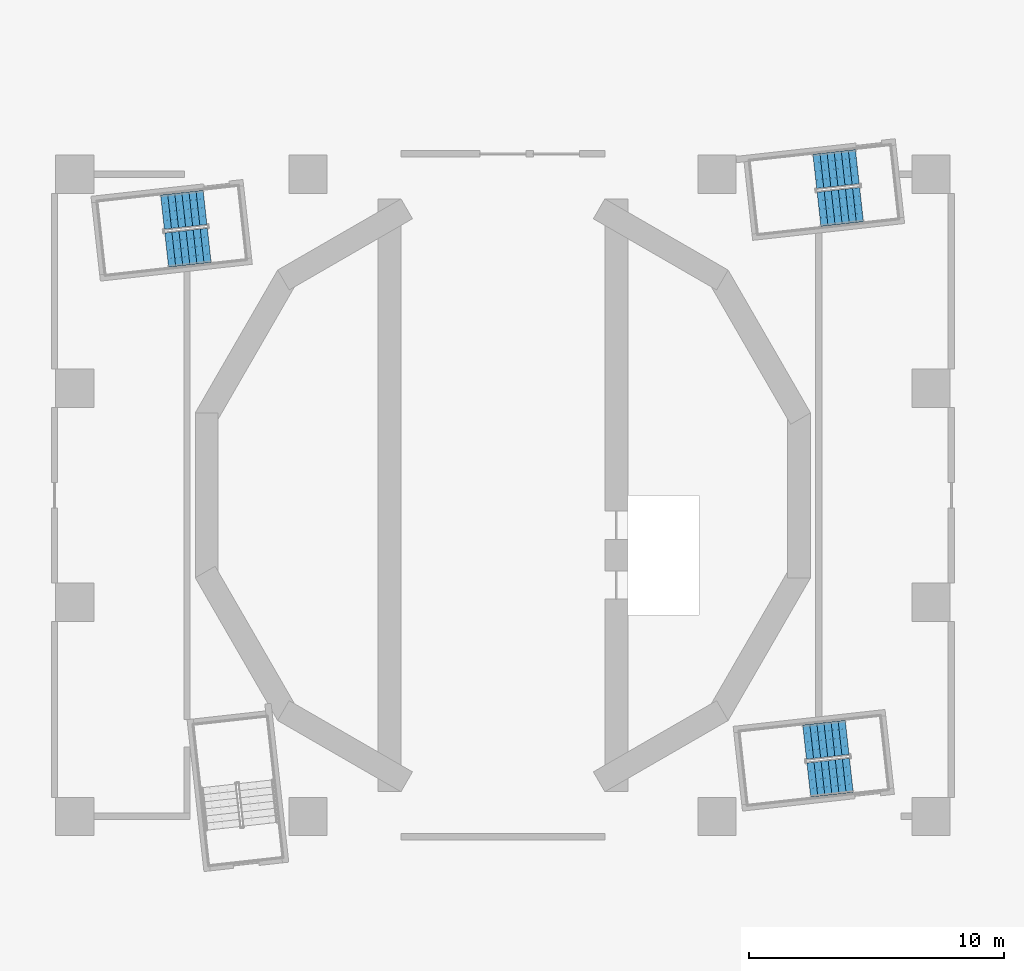
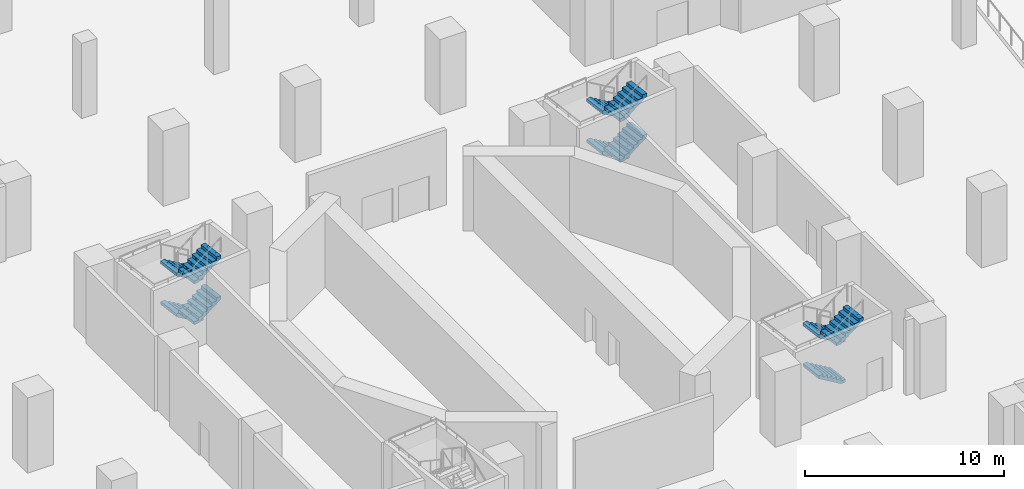
# One storey, part 11 of 20: 11 stair flights, 3 elements without a shape of their own.
"""IFC4 building model written with IfcOpenShell, lengths in metres."""

import ifcopenshell
import ifcopenshell.guid

model = None  # the IFC model being written
_history = None  # IfcOwnerHistory: only IFC2X3 demands one
_inside = {}  # id of a spatial element -> (the spatial element, [elements in it])
_under = {}  # id of a project, library or spatial element -> (it, [spatial elements below it])
_declared = {}  # id of a project -> (the project, [libraries it declares])
_typed = {}  # id of a type object -> (the type object, [elements of that type])
_made_of = {}  # id of a material, layer set ... -> (it, [elements and type objects made of it])


def new_model(schema):
    """Start an empty IFC model of exactly this schema.

    Asked for "IFC4X3", IfcOpenShell would pick the latest addendum, in which some entities
    have other attributes; the version numbers below select the first issue.
    IFC2X3 requires an IfcOwnerHistory on every rooted entity: one is made here for all.
    """
    global model, _history
    if schema == "IFC4X3":
        model = ifcopenshell.file(schema_version=(4, 3, 0, 0))
    else:
        model = ifcopenshell.file(schema=schema)
    _inside.clear()
    _under.clear()
    _declared.clear()
    _typed.clear()
    _made_of.clear()
    _history = None
    if model.schema == "IFC2X3":
        org = make("IfcOrganization", Name="unknown")
        user = make(
            "IfcPersonAndOrganization",
            ThePerson=make("IfcPerson", FamilyName="unknown"),
            TheOrganization=org,
        )
        app = make(
            "IfcApplication",
            ApplicationDeveloper=org,
            Version="unknown",
            ApplicationFullName="unknown",
            ApplicationIdentifier="unknown",
        )
        _history = make(
            "IfcOwnerHistory",
            OwningUser=user,
            OwningApplication=app,
            ChangeAction="ADDED",
            CreationDate=0,
        )
    return model


def make(cls, **values):
    """One entity of the class cls with the attributes given. An attribute that is None is left unset."""
    return model.create_entity(
        cls, **{name: value for name, value in values.items() if value is not None}
    )


def rooted(cls, **values):
    """An entity with a GlobalId (a new one), such as an element, a storey or a relation."""
    return make(cls, GlobalId=ifcopenshell.guid.new(), OwnerHistory=_history, **values)


def si_unit(unit_type, name, prefix=None):
    """IfcSIUnit, for example si_unit("LENGTHUNIT", "METRE", prefix="MILLI")."""
    return make("IfcSIUnit", UnitType=unit_type, Prefix=prefix, Name=name)


def assignment(units):
    """IfcUnitAssignment: the units of a project."""
    return None if units is None else make("IfcUnitAssignment", Units=units)


def point(xyz):
    """IfcCartesianPoint."""
    return None if xyz is None else make("IfcCartesianPoint", Coordinates=xyz)


def direction(xyz):
    """IfcDirection."""
    return None if xyz is None else make("IfcDirection", DirectionRatios=xyz)


def frame(location, z_axis=None, x_axis=None):
    """IfcAxis2Placement3D, a coordinate frame: its origin and axes. An axis left out is left unset."""
    return make(
        "IfcAxis2Placement3D",
        Location=point(location),
        Axis=direction(z_axis),
        RefDirection=direction(x_axis),
    )


def origin():
    """The frame at (0, 0, 0) with its axes left unset."""
    return frame((0.0, 0.0, 0.0))


def place(relative_to, where):
    """IfcLocalPlacement: puts the frame where relative to a parent placement (None: the world)."""
    return make(
        "IfcLocalPlacement", PlacementRelTo=relative_to, RelativePlacement=where
    )


def context(
    kind, dimensions, precision=None, world=None, true_north=None, identifier=None
):
    """IfcGeometricRepresentationContext, for example the 3D "Model" context."""
    return make(
        "IfcGeometricRepresentationContext",
        ContextIdentifier=identifier,
        ContextType=kind,
        CoordinateSpaceDimension=dimensions,
        Precision=precision,
        WorldCoordinateSystem=world,
        TrueNorth=true_north,
    )


def subcontext(parent, identifier, kind, view, scale=None):
    """IfcGeometricRepresentationSubContext, for example "Body" below "Model"."""
    return make(
        "IfcGeometricRepresentationSubContext",
        ContextIdentifier=identifier,
        ContextType=kind,
        ParentContext=parent,
        TargetScale=scale,
        TargetView=view,
    )


def project(units=None, contexts=None):
    """IfcProject with its units and contexts."""
    return rooted(
        "IfcProject",
        Name="project",
        RepresentationContexts=contexts,
        UnitsInContext=assignment(units),
    )


def spatial(cls, under=None, at=None, **own):
    """A site, building, storey or space (cls), placed at a placement, below another one or the project."""
    s = rooted(cls, ObjectPlacement=at, **own)
    if under is not None:
        _under.setdefault(under.id(), (under, []))[1].append(s)
    return s


def polyline(points):
    """IfcPolyline through the points."""
    return make("IfcPolyline", Points=[point(p) for p in points])


def outline(outer, holes=None, kind="AREA"):
    """IfcArbitraryClosedProfileDef: a profile drawn as a closed curve; with holes, ...WithVoids."""
    if holes is None:
        return make("IfcArbitraryClosedProfileDef", ProfileType=kind, OuterCurve=outer)
    return make(
        "IfcArbitraryProfileDefWithVoids",
        ProfileType=kind,
        OuterCurve=outer,
        InnerCurves=holes,
    )


def extrude(swept, where, along, depth):
    """IfcExtrudedAreaSolid: the profile swept, set in the frame where, extruded along a direction by depth."""
    return make(
        "IfcExtrudedAreaSolid",
        SweptArea=swept,
        Position=where,
        ExtrudedDirection=direction(along),
        Depth=depth,
    )


def shape(context_of_items, identifier, shape_type, items):
    """IfcShapeRepresentation: the items that make up one representation, for example the "Body"."""
    return make(
        "IfcShapeRepresentation",
        ContextOfItems=context_of_items,
        RepresentationIdentifier=identifier,
        RepresentationType=shape_type,
        Items=items,
    )


def material(Name=None, Category=None):
    """IfcMaterial."""
    return make("IfcMaterial", Name=Name, Category=Category)


def made_of(thing, what):
    """Note that an element or type object is made of a material, layer set ...; save() writes the relation."""
    if what is not None:
        _made_of.setdefault(what.id(), (what, []))[1].append(thing)
    return thing


def type_object(cls, material=None, **own):
    """A type object (cls), such as IfcWallType, which elements share."""
    return made_of(rooted(cls, **own), material)


def element(
    cls,
    number,
    at=None,
    inside=None,
    cuts=None,
    type_object=None,
    material=None,
    context=None,
    identifier="Body",
    shape_type=None,
    held_by="IfcProductDefinitionShape",
    body=None,
    shapes=None,
    **own,
):
    """One element of the class cls, such as IfcWall. Its Tag is "e" and its number.

    at: its placement. inside: the storey or other place that contains it. cuts: it is an
    opening in that element (IfcRelVoidsElement). A single representation is given by context,
    identifier, shape_type and body (its items); several are given by shapes. held_by: the class
    of the entity that holds the representations. save() writes the other relations.
    """
    e = rooted(cls, Tag="e%d" % number, ObjectPlacement=at, **own)
    if body is not None:
        shapes = [shape(context, identifier, shape_type, body)]
    if shapes is not None:
        e.Representation = make(held_by, Representations=shapes)
    if inside is not None:
        _inside.setdefault(inside.id(), (inside, []))[1].append(e)
    if cuts is not None:
        rooted(
            "IfcRelVoidsElement", RelatingBuildingElement=cuts, RelatedOpeningElement=e
        )
    if type_object is not None:
        _typed.setdefault(type_object.id(), (type_object, []))[1].append(e)
    return made_of(e, material)


def aggregate(whole, parts):
    """IfcRelAggregates: a whole, such as a stair, and the parts it consists of."""
    return rooted("IfcRelAggregates", RelatingObject=whole, RelatedObjects=parts)


def save(model, path):
    """Write the relations noted so far, then the file.

    IfcRelAggregates (storeys below a building ...), IfcRelContainedInSpatialStructure (elements
    in a storey), IfcRelDefinesByType, IfcRelAssociatesMaterial and IfcRelDeclares: one each for
    every whole, place, type object, material and project.
    """
    for whole, parts in _under.values():
        aggregate(whole, parts)
    for where, things in _inside.values():
        rooted(
            "IfcRelContainedInSpatialStructure",
            RelatedElements=things,
            RelatingStructure=where,
        )
    for kind, things in _typed.values():
        rooted("IfcRelDefinesByType", RelatedObjects=things, RelatingType=kind)
    for what, things in _made_of.values():
        rooted("IfcRelAssociatesMaterial", RelatedObjects=things, RelatingMaterial=what)
    for by, libraries in _declared.values():
        rooted("IfcRelDeclares", RelatingContext=by, RelatedDefinitions=libraries)
    model.write(path)


model = new_model("IFC4")

# Units and contexts
model_context = context("Model", 3, precision=1e-05, world=origin(), true_north=direction((0.0, 1.0)))
body_context = subcontext(model_context, "Body", "Model", "MODEL_VIEW")
ifc_project = project(units=[si_unit("LENGTHUNIT", "METRE"), si_unit("AREAUNIT", "SQUARE_METRE"), si_unit("VOLUMEUNIT", "CUBIC_METRE"), si_unit("PLANEANGLEUNIT", "RADIAN"), si_unit("MASSUNIT", "GRAM", prefix="KILO")], contexts=[model_context])

# Site, building, storey
site_placement = place(None, origin())
site = spatial("IfcSite", under=ifc_project, at=site_placement, CompositionType="ELEMENT")
building_placement = place(site_placement, origin())
building = spatial("IfcBuilding", under=site, at=building_placement, Name="Cantera Rosa Tower", CompositionType="ELEMENT")
storey_placement = place(building_placement, frame((0.0, 0.0, -5.0)))
storey = spatial("IfcBuildingStorey", under=building, at=storey_placement, Name="B1", CompositionType="ELEMENT", Elevation=-5.0)

# Stair, stair flights
ifc_material_1 = material(Name="Concrete C35/45", Category="concrete")
stair_type = type_object("IfcStairType", Name="EXIT STAIR 1350 DOGLEG", PredefinedType="HALF_TURN_STAIR", material=ifc_material_1)
stair_1_placement = place(storey_placement, origin())
stair_1 = element("IfcStair", 1, at=stair_1_placement, inside=storey, type_object=stair_type, Name="B1 ST-11", PredefinedType="HALF_TURN_STAIR")
ifc_material_2 = material(Name="Concrete C35/45", Category="concrete")
stair_flight_type = type_object("IfcStairFlightType", Name="STAIR FLIGHT 1350 R28x179", PredefinedType="STRAIGHT", material=ifc_material_2)
stair_flight_1_placement = place(storey_placement, frame((13.90869140625, 12.89990234375, 0.0), z_axis=(0.0, 0.0, 1.0), x_axis=(-0.993896947056, -0.110312549749, 0.0)))
stair_flight_1 = element("IfcStairFlight", 2, at=stair_flight_1_placement, type_object=stair_flight_type, Name="ST-11 flight 1", NumberOfRisers=7, NumberOfTreads=6, PredefinedType="STRAIGHT", RiserHeight=0.178571429, TreadLength=0.28, context=body_context, shape_type="SweptSolid", body=[
    extrude(outline(polyline([(0.0, 0.0), (0.0, 0.178466796875), (0.280029296875, 0.178466796875), (0.280029296875, 0.357177734375), (0.56005859375, 0.357177734375), (0.56005859375, 0.53564453125), (0.840087890625, 0.53564453125), (0.840087890625, 0.71435546875), (1.1201171875, 0.71435546875), (1.1201171875, 0.892822265625), (1.39990234375, 0.892822265625), (1.39990234375, 1.071533203125), (1.679931640625, 1.071533203125), (1.679931640625, 1.25), (1.679931640625, 0.8935546875), (0.27880859375, 0.0), (0.0, 0.0)])), frame((0.0, 0.675048828125, 0.0), z_axis=(0.0, -1.0, 0.0), x_axis=(1.0, 0.0, 0.0)), (0.0, 0.0, 1.0), 0.3359375),
    extrude(outline(polyline([(0.0, 0.0), (0.0, 0.178466796875), (0.280029296875, 0.178466796875), (0.280029296875, 0.357177734375), (0.56005859375, 0.357177734375), (0.56005859375, 0.53564453125), (0.840087890625, 0.53564453125), (0.840087890625, 0.71435546875), (1.1201171875, 0.71435546875), (1.1201171875, 0.892822265625), (1.39990234375, 0.892822265625), (1.39990234375, 1.071533203125), (1.679931640625, 1.071533203125), (1.679931640625, 1.25), (1.679931640625, 0.8935546875), (0.27880859375, 0.0), (0.0, 0.0)])), frame((0.0, 0.337158203125, 0.0), z_axis=(0.0, -1.0, 0.0), x_axis=(1.0, 0.0, 0.0)), (0.0, 0.0, 1.0), 0.3359375),
    extrude(outline(polyline([(0.0, 0.0), (0.0, 0.178466796875), (0.280029296875, 0.178466796875), (0.280029296875, 0.357177734375), (0.56005859375, 0.357177734375), (0.56005859375, 0.53564453125), (0.840087890625, 0.53564453125), (0.840087890625, 0.71435546875), (1.1201171875, 0.71435546875), (1.1201171875, 0.892822265625), (1.39990234375, 0.892822265625), (1.39990234375, 1.071533203125), (1.679931640625, 1.071533203125), (1.679931640625, 1.25), (1.679931640625, 0.8935546875), (0.27880859375, 0.0), (0.0, 0.0)])), frame((0.0, -0.000732421875, 0.0), z_axis=(0.0, -1.0, 0.0), x_axis=(1.0, 0.0, 0.0)), (0.0, 0.0, 1.0), 0.3359375),
    extrude(outline(polyline([(0.0, 0.0), (0.0, 0.178466796875), (0.280029296875, 0.178466796875), (0.280029296875, 0.357177734375), (0.56005859375, 0.357177734375), (0.56005859375, 0.53564453125), (0.840087890625, 0.53564453125), (0.840087890625, 0.71435546875), (1.1201171875, 0.71435546875), (1.1201171875, 0.892822265625), (1.39990234375, 0.892822265625), (1.39990234375, 1.071533203125), (1.679931640625, 1.071533203125), (1.679931640625, 1.25), (1.679931640625, 0.8935546875), (0.27880859375, 0.0), (0.0, 0.0)])), frame((0.0, -0.338623046875, 0.0), z_axis=(0.0, -1.0, 0.0), x_axis=(1.0, 0.0, 0.0)), (0.0, 0.0, 1.0), 0.3359375),
])
stair_flight_2_placement = place(storey_placement, frame((12.404541015625, 11.2236328125, 1.25), z_axis=(0.0, 0.0, 1.0), x_axis=(0.993896947056, 0.110312549749, 0.0)))
stair_flight_2 = element("IfcStairFlight", 3, at=stair_flight_2_placement, type_object=stair_flight_type, Name="ST-11 flight 2", NumberOfRisers=7, NumberOfTreads=6, PredefinedType="STRAIGHT", RiserHeight=0.178571429, TreadLength=0.28, context=body_context, shape_type="SweptSolid", body=[
    extrude(outline(polyline([(0.0, 0.0), (0.0, 0.178466796875), (0.280029296875, 0.178466796875), (0.280029296875, 0.357177734375), (0.56005859375, 0.357177734375), (0.56005859375, 0.53564453125), (0.840087890625, 0.53564453125), (0.840087890625, 0.71435546875), (1.1201171875, 0.71435546875), (1.1201171875, 0.892822265625), (1.39990234375, 0.892822265625), (1.39990234375, 1.071533203125), (1.679931640625, 1.071533203125), (1.679931640625, 1.25), (1.679931640625, 0.8935546875), (0.27880859375, 0.0), (0.0, 0.0)])), frame((0.0, 0.675048828125, 0.0), z_axis=(0.0, -1.0, 0.0), x_axis=(1.0, 0.0, 0.0)), (0.0, 0.0, 1.0), 0.3359375),
    extrude(outline(polyline([(0.0, 0.0), (0.0, 0.178466796875), (0.280029296875, 0.178466796875), (0.280029296875, 0.357177734375), (0.56005859375, 0.357177734375), (0.56005859375, 0.53564453125), (0.840087890625, 0.53564453125), (0.840087890625, 0.71435546875), (1.1201171875, 0.71435546875), (1.1201171875, 0.892822265625), (1.39990234375, 0.892822265625), (1.39990234375, 1.071533203125), (1.679931640625, 1.071533203125), (1.679931640625, 1.25), (1.679931640625, 0.8935546875), (0.27880859375, 0.0), (0.0, 0.0)])), frame((0.0, 0.337158203125, 0.0), z_axis=(0.0, -1.0, 0.0), x_axis=(1.0, 0.0, 0.0)), (0.0, 0.0, 1.0), 0.3359375),
    extrude(outline(polyline([(0.0, 0.0), (0.0, 0.178466796875), (0.280029296875, 0.178466796875), (0.280029296875, 0.357177734375), (0.56005859375, 0.357177734375), (0.56005859375, 0.53564453125), (0.840087890625, 0.53564453125), (0.840087890625, 0.71435546875), (1.1201171875, 0.71435546875), (1.1201171875, 0.892822265625), (1.39990234375, 0.892822265625), (1.39990234375, 1.071533203125), (1.679931640625, 1.071533203125), (1.679931640625, 1.25), (1.679931640625, 0.8935546875), (0.27880859375, 0.0), (0.0, 0.0)])), frame((0.0, -0.000732421875, 0.0), z_axis=(0.0, -1.0, 0.0), x_axis=(1.0, 0.0, 0.0)), (0.0, 0.0, 1.0), 0.3359375),
    extrude(outline(polyline([(0.0, 0.0), (0.0, 0.178466796875), (0.280029296875, 0.178466796875), (0.280029296875, 0.357177734375), (0.56005859375, 0.357177734375), (0.56005859375, 0.53564453125), (0.840087890625, 0.53564453125), (0.840087890625, 0.71435546875), (1.1201171875, 0.71435546875), (1.1201171875, 0.892822265625), (1.39990234375, 0.892822265625), (1.39990234375, 1.071533203125), (1.679931640625, 1.071533203125), (1.679931640625, 1.25), (1.679931640625, 0.8935546875), (0.27880859375, 0.0), (0.0, 0.0)])), frame((0.0, -0.338623046875, 0.0), z_axis=(0.0, -1.0, 0.0), x_axis=(1.0, 0.0, 0.0)), (0.0, 0.0, 1.0), 0.3359375),
])
stair_flight_3_placement = place(storey_placement, frame((13.90869140625, 12.89990234375, 2.5), z_axis=(0.0, 0.0, 1.0), x_axis=(-0.993896947056, -0.110312549749, 0.0)))
stair_flight_3 = element("IfcStairFlight", 4, at=stair_flight_3_placement, type_object=stair_flight_type, Name="ST-11 flight 3", NumberOfRisers=7, NumberOfTreads=6, PredefinedType="STRAIGHT", RiserHeight=0.178571429, TreadLength=0.28, context=body_context, shape_type="SweptSolid", body=[
    extrude(outline(polyline([(0.0, 0.0), (0.0, 0.178466796875), (0.280029296875, 0.178466796875), (0.280029296875, 0.357177734375), (0.56005859375, 0.357177734375), (0.56005859375, 0.53564453125), (0.840087890625, 0.53564453125), (0.840087890625, 0.71435546875), (1.1201171875, 0.71435546875), (1.1201171875, 0.892822265625), (1.39990234375, 0.892822265625), (1.39990234375, 1.071533203125), (1.679931640625, 1.071533203125), (1.679931640625, 1.25), (1.679931640625, 0.8935546875), (0.27880859375, 0.0), (0.0, 0.0)])), frame((0.0, 0.675048828125, 0.0), z_axis=(0.0, -1.0, 0.0), x_axis=(1.0, 0.0, 0.0)), (0.0, 0.0, 1.0), 0.3359375),
    extrude(outline(polyline([(0.0, 0.0), (0.0, 0.178466796875), (0.280029296875, 0.178466796875), (0.280029296875, 0.357177734375), (0.56005859375, 0.357177734375), (0.56005859375, 0.53564453125), (0.840087890625, 0.53564453125), (0.840087890625, 0.71435546875), (1.1201171875, 0.71435546875), (1.1201171875, 0.892822265625), (1.39990234375, 0.892822265625), (1.39990234375, 1.071533203125), (1.679931640625, 1.071533203125), (1.679931640625, 1.25), (1.679931640625, 0.8935546875), (0.27880859375, 0.0), (0.0, 0.0)])), frame((0.0, 0.337158203125, 0.0), z_axis=(0.0, -1.0, 0.0), x_axis=(1.0, 0.0, 0.0)), (0.0, 0.0, 1.0), 0.3359375),
    extrude(outline(polyline([(0.0, 0.0), (0.0, 0.178466796875), (0.280029296875, 0.178466796875), (0.280029296875, 0.357177734375), (0.56005859375, 0.357177734375), (0.56005859375, 0.53564453125), (0.840087890625, 0.53564453125), (0.840087890625, 0.71435546875), (1.1201171875, 0.71435546875), (1.1201171875, 0.892822265625), (1.39990234375, 0.892822265625), (1.39990234375, 1.071533203125), (1.679931640625, 1.071533203125), (1.679931640625, 1.25), (1.679931640625, 0.8935546875), (0.27880859375, 0.0), (0.0, 0.0)])), frame((0.0, -0.000732421875, 0.0), z_axis=(0.0, -1.0, 0.0), x_axis=(1.0, 0.0, 0.0)), (0.0, 0.0, 1.0), 0.3359375),
    extrude(outline(polyline([(0.0, 0.0), (0.0, 0.178466796875), (0.280029296875, 0.178466796875), (0.280029296875, 0.357177734375), (0.56005859375, 0.357177734375), (0.56005859375, 0.53564453125), (0.840087890625, 0.53564453125), (0.840087890625, 0.71435546875), (1.1201171875, 0.71435546875), (1.1201171875, 0.892822265625), (1.39990234375, 0.892822265625), (1.39990234375, 1.071533203125), (1.679931640625, 1.071533203125), (1.679931640625, 1.25), (1.679931640625, 0.8935546875), (0.27880859375, 0.0), (0.0, 0.0)])), frame((0.0, -0.338623046875, 0.0), z_axis=(0.0, -1.0, 0.0), x_axis=(1.0, 0.0, 0.0)), (0.0, 0.0, 1.0), 0.3359375),
])
stair_flight_4_placement = place(storey_placement, frame((12.404541015625, 11.2236328125, 3.75), z_axis=(0.0, 0.0, 1.0), x_axis=(0.993896947056, 0.110312549749, 0.0)))
stair_flight_4 = element("IfcStairFlight", 5, at=stair_flight_4_placement, type_object=stair_flight_type, Name="ST-11 flight 4", NumberOfRisers=7, NumberOfTreads=6, PredefinedType="STRAIGHT", RiserHeight=0.178571429, TreadLength=0.28, context=body_context, shape_type="SweptSolid", body=[
    extrude(outline(polyline([(0.0, 0.0), (0.0, 0.178466796875), (0.280029296875, 0.178466796875), (0.280029296875, 0.357177734375), (0.56005859375, 0.357177734375), (0.56005859375, 0.53564453125), (0.840087890625, 0.53564453125), (0.840087890625, 0.71435546875), (1.1201171875, 0.71435546875), (1.1201171875, 0.892822265625), (1.39990234375, 0.892822265625), (1.39990234375, 1.071533203125), (1.679931640625, 1.071533203125), (1.679931640625, 1.25), (1.679931640625, 0.8935546875), (0.27880859375, 0.0), (0.0, 0.0)])), frame((0.0, 0.675048828125, 0.0), z_axis=(0.0, -1.0, 0.0), x_axis=(1.0, 0.0, 0.0)), (0.0, 0.0, 1.0), 0.3359375),
    extrude(outline(polyline([(0.0, 0.0), (0.0, 0.178466796875), (0.280029296875, 0.178466796875), (0.280029296875, 0.357177734375), (0.56005859375, 0.357177734375), (0.56005859375, 0.53564453125), (0.840087890625, 0.53564453125), (0.840087890625, 0.71435546875), (1.1201171875, 0.71435546875), (1.1201171875, 0.892822265625), (1.39990234375, 0.892822265625), (1.39990234375, 1.071533203125), (1.679931640625, 1.071533203125), (1.679931640625, 1.25), (1.679931640625, 0.8935546875), (0.27880859375, 0.0), (0.0, 0.0)])), frame((0.0, 0.337158203125, 0.0), z_axis=(0.0, -1.0, 0.0), x_axis=(1.0, 0.0, 0.0)), (0.0, 0.0, 1.0), 0.3359375),
    extrude(outline(polyline([(0.0, 0.0), (0.0, 0.178466796875), (0.280029296875, 0.178466796875), (0.280029296875, 0.357177734375), (0.56005859375, 0.357177734375), (0.56005859375, 0.53564453125), (0.840087890625, 0.53564453125), (0.840087890625, 0.71435546875), (1.1201171875, 0.71435546875), (1.1201171875, 0.892822265625), (1.39990234375, 0.892822265625), (1.39990234375, 1.071533203125), (1.679931640625, 1.071533203125), (1.679931640625, 1.25), (1.679931640625, 0.8935546875), (0.27880859375, 0.0), (0.0, 0.0)])), frame((0.0, -0.000732421875, 0.0), z_axis=(0.0, -1.0, 0.0), x_axis=(1.0, 0.0, 0.0)), (0.0, 0.0, 1.0), 0.3359375),
    extrude(outline(polyline([(0.0, 0.0), (0.0, 0.178466796875), (0.280029296875, 0.178466796875), (0.280029296875, 0.357177734375), (0.56005859375, 0.357177734375), (0.56005859375, 0.53564453125), (0.840087890625, 0.53564453125), (0.840087890625, 0.71435546875), (1.1201171875, 0.71435546875), (1.1201171875, 0.892822265625), (1.39990234375, 0.892822265625), (1.39990234375, 1.071533203125), (1.679931640625, 1.071533203125), (1.679931640625, 1.25), (1.679931640625, 0.8935546875), (0.27880859375, 0.0), (0.0, 0.0)])), frame((0.0, -0.338623046875, 0.0), z_axis=(0.0, -1.0, 0.0), x_axis=(1.0, 0.0, 0.0)), (0.0, 0.0, 1.0), 0.3359375),
])
aggregate(stair_1, [stair_flight_1, stair_flight_2, stair_flight_3, stair_flight_4])

stair_2_placement = place(storey_placement, origin())
stair_2 = element("IfcStair", 6, at=stair_2_placement, inside=storey, type_object=stair_type, Name="B1 ST-12", PredefinedType="HALF_TURN_STAIR")
stair_flight_5_placement = place(storey_placement, frame((-11.691162109375, 11.2998046875, 0.0), z_axis=(0.0, 0.0, 1.0), x_axis=(-0.993896947056, -0.110312549749, 0.0)))
stair_flight_5 = element("IfcStairFlight", 7, at=stair_flight_5_placement, type_object=stair_flight_type, Name="ST-12 flight 1", NumberOfRisers=7, NumberOfTreads=6, PredefinedType="STRAIGHT", RiserHeight=0.178571429, TreadLength=0.28, context=body_context, shape_type="SweptSolid", body=[
    extrude(outline(polyline([(0.0, 0.0), (0.0, 0.178466796875), (0.280029296875, 0.178466796875), (0.280029296875, 0.357177734375), (0.56005859375, 0.357177734375), (0.56005859375, 0.53564453125), (0.840087890625, 0.53564453125), (0.840087890625, 0.71435546875), (1.1201171875, 0.71435546875), (1.1201171875, 0.892822265625), (1.39990234375, 0.892822265625), (1.39990234375, 1.071533203125), (1.679931640625, 1.071533203125), (1.679931640625, 1.25), (1.679931640625, 0.8935546875), (0.27880859375, 0.0), (0.0, 0.0)])), frame((0.0, 0.675048828125, 0.0), z_axis=(0.0, -1.0, 0.0), x_axis=(1.0, 0.0, 0.0)), (0.0, 0.0, 1.0), 0.3359375),
    extrude(outline(polyline([(0.0, 0.0), (0.0, 0.178466796875), (0.280029296875, 0.178466796875), (0.280029296875, 0.357177734375), (0.56005859375, 0.357177734375), (0.56005859375, 0.53564453125), (0.840087890625, 0.53564453125), (0.840087890625, 0.71435546875), (1.1201171875, 0.71435546875), (1.1201171875, 0.892822265625), (1.39990234375, 0.892822265625), (1.39990234375, 1.071533203125), (1.679931640625, 1.071533203125), (1.679931640625, 1.25), (1.679931640625, 0.8935546875), (0.27880859375, 0.0), (0.0, 0.0)])), frame((0.0, 0.337158203125, 0.0), z_axis=(0.0, -1.0, 0.0), x_axis=(1.0, 0.0, 0.0)), (0.0, 0.0, 1.0), 0.3359375),
    extrude(outline(polyline([(0.0, 0.0), (0.0, 0.178466796875), (0.280029296875, 0.178466796875), (0.280029296875, 0.357177734375), (0.56005859375, 0.357177734375), (0.56005859375, 0.53564453125), (0.840087890625, 0.53564453125), (0.840087890625, 0.71435546875), (1.1201171875, 0.71435546875), (1.1201171875, 0.892822265625), (1.39990234375, 0.892822265625), (1.39990234375, 1.071533203125), (1.679931640625, 1.071533203125), (1.679931640625, 1.25), (1.679931640625, 0.8935546875), (0.27880859375, 0.0), (0.0, 0.0)])), frame((0.0, -0.000732421875, 0.0), z_axis=(0.0, -1.0, 0.0), x_axis=(1.0, 0.0, 0.0)), (0.0, 0.0, 1.0), 0.3359375),
    extrude(outline(polyline([(0.0, 0.0), (0.0, 0.178466796875), (0.280029296875, 0.178466796875), (0.280029296875, 0.357177734375), (0.56005859375, 0.357177734375), (0.56005859375, 0.53564453125), (0.840087890625, 0.53564453125), (0.840087890625, 0.71435546875), (1.1201171875, 0.71435546875), (1.1201171875, 0.892822265625), (1.39990234375, 0.892822265625), (1.39990234375, 1.071533203125), (1.679931640625, 1.071533203125), (1.679931640625, 1.25), (1.679931640625, 0.8935546875), (0.27880859375, 0.0), (0.0, 0.0)])), frame((0.0, -0.338623046875, 0.0), z_axis=(0.0, -1.0, 0.0), x_axis=(1.0, 0.0, 0.0)), (0.0, 0.0, 1.0), 0.3359375),
])
stair_flight_6_placement = place(storey_placement, frame((-13.195556640625, 9.623779296875, 1.25), z_axis=(0.0, 0.0, 1.0), x_axis=(0.993896947056, 0.110312549749, 0.0)))
stair_flight_6 = element("IfcStairFlight", 8, at=stair_flight_6_placement, type_object=stair_flight_type, Name="ST-12 flight 2", NumberOfRisers=7, NumberOfTreads=6, PredefinedType="STRAIGHT", RiserHeight=0.178571429, TreadLength=0.28, context=body_context, shape_type="SweptSolid", body=[
    extrude(outline(polyline([(0.0, 0.0), (0.0, 0.178466796875), (0.280029296875, 0.178466796875), (0.280029296875, 0.357177734375), (0.56005859375, 0.357177734375), (0.56005859375, 0.53564453125), (0.840087890625, 0.53564453125), (0.840087890625, 0.71435546875), (1.1201171875, 0.71435546875), (1.1201171875, 0.892822265625), (1.39990234375, 0.892822265625), (1.39990234375, 1.071533203125), (1.679931640625, 1.071533203125), (1.679931640625, 1.25), (1.679931640625, 0.8935546875), (0.27880859375, 0.0), (0.0, 0.0)])), frame((0.0, 0.675048828125, 0.0), z_axis=(0.0, -1.0, 0.0), x_axis=(1.0, 0.0, 0.0)), (0.0, 0.0, 1.0), 0.3359375),
    extrude(outline(polyline([(0.0, 0.0), (0.0, 0.178466796875), (0.280029296875, 0.178466796875), (0.280029296875, 0.357177734375), (0.56005859375, 0.357177734375), (0.56005859375, 0.53564453125), (0.840087890625, 0.53564453125), (0.840087890625, 0.71435546875), (1.1201171875, 0.71435546875), (1.1201171875, 0.892822265625), (1.39990234375, 0.892822265625), (1.39990234375, 1.071533203125), (1.679931640625, 1.071533203125), (1.679931640625, 1.25), (1.679931640625, 0.8935546875), (0.27880859375, 0.0), (0.0, 0.0)])), frame((0.0, 0.337158203125, 0.0), z_axis=(0.0, -1.0, 0.0), x_axis=(1.0, 0.0, 0.0)), (0.0, 0.0, 1.0), 0.3359375),
    extrude(outline(polyline([(0.0, 0.0), (0.0, 0.178466796875), (0.280029296875, 0.178466796875), (0.280029296875, 0.357177734375), (0.56005859375, 0.357177734375), (0.56005859375, 0.53564453125), (0.840087890625, 0.53564453125), (0.840087890625, 0.71435546875), (1.1201171875, 0.71435546875), (1.1201171875, 0.892822265625), (1.39990234375, 0.892822265625), (1.39990234375, 1.071533203125), (1.679931640625, 1.071533203125), (1.679931640625, 1.25), (1.679931640625, 0.8935546875), (0.27880859375, 0.0), (0.0, 0.0)])), frame((0.0, -0.000732421875, 0.0), z_axis=(0.0, -1.0, 0.0), x_axis=(1.0, 0.0, 0.0)), (0.0, 0.0, 1.0), 0.3359375),
    extrude(outline(polyline([(0.0, 0.0), (0.0, 0.178466796875), (0.280029296875, 0.178466796875), (0.280029296875, 0.357177734375), (0.56005859375, 0.357177734375), (0.56005859375, 0.53564453125), (0.840087890625, 0.53564453125), (0.840087890625, 0.71435546875), (1.1201171875, 0.71435546875), (1.1201171875, 0.892822265625), (1.39990234375, 0.892822265625), (1.39990234375, 1.071533203125), (1.679931640625, 1.071533203125), (1.679931640625, 1.25), (1.679931640625, 0.8935546875), (0.27880859375, 0.0), (0.0, 0.0)])), frame((0.0, -0.338623046875, 0.0), z_axis=(0.0, -1.0, 0.0), x_axis=(1.0, 0.0, 0.0)), (0.0, 0.0, 1.0), 0.3359375),
])
stair_flight_7_placement = place(storey_placement, frame((-11.691162109375, 11.2998046875, 2.5), z_axis=(0.0, 0.0, 1.0), x_axis=(-0.993896947056, -0.110312549749, 0.0)))
stair_flight_7 = element("IfcStairFlight", 9, at=stair_flight_7_placement, type_object=stair_flight_type, Name="ST-12 flight 3", NumberOfRisers=7, NumberOfTreads=6, PredefinedType="STRAIGHT", RiserHeight=0.178571429, TreadLength=0.28, context=body_context, shape_type="SweptSolid", body=[
    extrude(outline(polyline([(0.0, 0.0), (0.0, 0.178466796875), (0.280029296875, 0.178466796875), (0.280029296875, 0.357177734375), (0.56005859375, 0.357177734375), (0.56005859375, 0.53564453125), (0.840087890625, 0.53564453125), (0.840087890625, 0.71435546875), (1.1201171875, 0.71435546875), (1.1201171875, 0.892822265625), (1.39990234375, 0.892822265625), (1.39990234375, 1.071533203125), (1.679931640625, 1.071533203125), (1.679931640625, 1.25), (1.679931640625, 0.8935546875), (0.27880859375, 0.0), (0.0, 0.0)])), frame((0.0, 0.675048828125, 0.0), z_axis=(0.0, -1.0, 0.0), x_axis=(1.0, 0.0, 0.0)), (0.0, 0.0, 1.0), 0.3359375),
    extrude(outline(polyline([(0.0, 0.0), (0.0, 0.178466796875), (0.280029296875, 0.178466796875), (0.280029296875, 0.357177734375), (0.56005859375, 0.357177734375), (0.56005859375, 0.53564453125), (0.840087890625, 0.53564453125), (0.840087890625, 0.71435546875), (1.1201171875, 0.71435546875), (1.1201171875, 0.892822265625), (1.39990234375, 0.892822265625), (1.39990234375, 1.071533203125), (1.679931640625, 1.071533203125), (1.679931640625, 1.25), (1.679931640625, 0.8935546875), (0.27880859375, 0.0), (0.0, 0.0)])), frame((0.0, 0.337158203125, 0.0), z_axis=(0.0, -1.0, 0.0), x_axis=(1.0, 0.0, 0.0)), (0.0, 0.0, 1.0), 0.3359375),
    extrude(outline(polyline([(0.0, 0.0), (0.0, 0.178466796875), (0.280029296875, 0.178466796875), (0.280029296875, 0.357177734375), (0.56005859375, 0.357177734375), (0.56005859375, 0.53564453125), (0.840087890625, 0.53564453125), (0.840087890625, 0.71435546875), (1.1201171875, 0.71435546875), (1.1201171875, 0.892822265625), (1.39990234375, 0.892822265625), (1.39990234375, 1.071533203125), (1.679931640625, 1.071533203125), (1.679931640625, 1.25), (1.679931640625, 0.8935546875), (0.27880859375, 0.0), (0.0, 0.0)])), frame((0.0, -0.000732421875, 0.0), z_axis=(0.0, -1.0, 0.0), x_axis=(1.0, 0.0, 0.0)), (0.0, 0.0, 1.0), 0.3359375),
    extrude(outline(polyline([(0.0, 0.0), (0.0, 0.178466796875), (0.280029296875, 0.178466796875), (0.280029296875, 0.357177734375), (0.56005859375, 0.357177734375), (0.56005859375, 0.53564453125), (0.840087890625, 0.53564453125), (0.840087890625, 0.71435546875), (1.1201171875, 0.71435546875), (1.1201171875, 0.892822265625), (1.39990234375, 0.892822265625), (1.39990234375, 1.071533203125), (1.679931640625, 1.071533203125), (1.679931640625, 1.25), (1.679931640625, 0.8935546875), (0.27880859375, 0.0), (0.0, 0.0)])), frame((0.0, -0.338623046875, 0.0), z_axis=(0.0, -1.0, 0.0), x_axis=(1.0, 0.0, 0.0)), (0.0, 0.0, 1.0), 0.3359375),
])
stair_flight_8_placement = place(storey_placement, frame((-13.195556640625, 9.623779296875, 3.75), z_axis=(0.0, 0.0, 1.0), x_axis=(0.993896947056, 0.110312549749, 0.0)))
stair_flight_8 = element("IfcStairFlight", 10, at=stair_flight_8_placement, type_object=stair_flight_type, Name="ST-12 flight 4", NumberOfRisers=7, NumberOfTreads=6, PredefinedType="STRAIGHT", RiserHeight=0.178571429, TreadLength=0.28, context=body_context, shape_type="SweptSolid", body=[
    extrude(outline(polyline([(0.0, 0.0), (0.0, 0.178466796875), (0.280029296875, 0.178466796875), (0.280029296875, 0.357177734375), (0.56005859375, 0.357177734375), (0.56005859375, 0.53564453125), (0.840087890625, 0.53564453125), (0.840087890625, 0.71435546875), (1.1201171875, 0.71435546875), (1.1201171875, 0.892822265625), (1.39990234375, 0.892822265625), (1.39990234375, 1.071533203125), (1.679931640625, 1.071533203125), (1.679931640625, 1.25), (1.679931640625, 0.8935546875), (0.27880859375, 0.0), (0.0, 0.0)])), frame((0.0, 0.675048828125, 0.0), z_axis=(0.0, -1.0, 0.0), x_axis=(1.0, 0.0, 0.0)), (0.0, 0.0, 1.0), 0.3359375),
    extrude(outline(polyline([(0.0, 0.0), (0.0, 0.178466796875), (0.280029296875, 0.178466796875), (0.280029296875, 0.357177734375), (0.56005859375, 0.357177734375), (0.56005859375, 0.53564453125), (0.840087890625, 0.53564453125), (0.840087890625, 0.71435546875), (1.1201171875, 0.71435546875), (1.1201171875, 0.892822265625), (1.39990234375, 0.892822265625), (1.39990234375, 1.071533203125), (1.679931640625, 1.071533203125), (1.679931640625, 1.25), (1.679931640625, 0.8935546875), (0.27880859375, 0.0), (0.0, 0.0)])), frame((0.0, 0.337158203125, 0.0), z_axis=(0.0, -1.0, 0.0), x_axis=(1.0, 0.0, 0.0)), (0.0, 0.0, 1.0), 0.3359375),
    extrude(outline(polyline([(0.0, 0.0), (0.0, 0.178466796875), (0.280029296875, 0.178466796875), (0.280029296875, 0.357177734375), (0.56005859375, 0.357177734375), (0.56005859375, 0.53564453125), (0.840087890625, 0.53564453125), (0.840087890625, 0.71435546875), (1.1201171875, 0.71435546875), (1.1201171875, 0.892822265625), (1.39990234375, 0.892822265625), (1.39990234375, 1.071533203125), (1.679931640625, 1.071533203125), (1.679931640625, 1.25), (1.679931640625, 0.8935546875), (0.27880859375, 0.0), (0.0, 0.0)])), frame((0.0, -0.000732421875, 0.0), z_axis=(0.0, -1.0, 0.0), x_axis=(1.0, 0.0, 0.0)), (0.0, 0.0, 1.0), 0.3359375),
    extrude(outline(polyline([(0.0, 0.0), (0.0, 0.178466796875), (0.280029296875, 0.178466796875), (0.280029296875, 0.357177734375), (0.56005859375, 0.357177734375), (0.56005859375, 0.53564453125), (0.840087890625, 0.53564453125), (0.840087890625, 0.71435546875), (1.1201171875, 0.71435546875), (1.1201171875, 0.892822265625), (1.39990234375, 0.892822265625), (1.39990234375, 1.071533203125), (1.679931640625, 1.071533203125), (1.679931640625, 1.25), (1.679931640625, 0.8935546875), (0.27880859375, 0.0), (0.0, 0.0)])), frame((0.0, -0.338623046875, 0.0), z_axis=(0.0, -1.0, 0.0), x_axis=(1.0, 0.0, 0.0)), (0.0, 0.0, 1.0), 0.3359375),
])
aggregate(stair_2, [stair_flight_5, stair_flight_6, stair_flight_7, stair_flight_8])

stair_3_placement = place(storey_placement, origin())
stair_3 = element("IfcStair", 11, at=stair_3_placement, inside=storey, type_object=stair_type, Name="B1 ST-14", PredefinedType="HALF_TURN_STAIR")
stair_flight_9_placement = place(storey_placement, frame((13.5087890625, -9.500244140625, 0.0), z_axis=(0.0, 0.0, 1.0), x_axis=(-0.993896947056, -0.110312549749, 0.0)))
stair_flight_9 = element("IfcStairFlight", 12, at=stair_flight_9_placement, type_object=stair_flight_type, Name="ST-14 flight 1", NumberOfRisers=7, NumberOfTreads=6, PredefinedType="STRAIGHT", RiserHeight=0.178571429, TreadLength=0.28, context=body_context, shape_type="SweptSolid", body=[
    extrude(outline(polyline([(0.0, 0.0), (0.0, 0.178466796875), (0.280029296875, 0.178466796875), (0.280029296875, 0.357177734375), (0.56005859375, 0.357177734375), (0.56005859375, 0.53564453125), (0.840087890625, 0.53564453125), (0.840087890625, 0.71435546875), (1.1201171875, 0.71435546875), (1.1201171875, 0.892822265625), (1.39990234375, 0.892822265625), (1.39990234375, 1.071533203125), (1.679931640625, 1.071533203125), (1.679931640625, 1.25), (1.679931640625, 0.8935546875), (0.27880859375, 0.0), (0.0, 0.0)])), frame((0.0, 0.675048828125, 0.0), z_axis=(0.0, -1.0, 0.0), x_axis=(1.0, 0.0, 0.0)), (0.0, 0.0, 1.0), 0.3359375),
    extrude(outline(polyline([(0.0, 0.0), (0.0, 0.178466796875), (0.280029296875, 0.178466796875), (0.280029296875, 0.357177734375), (0.56005859375, 0.357177734375), (0.56005859375, 0.53564453125), (0.840087890625, 0.53564453125), (0.840087890625, 0.71435546875), (1.1201171875, 0.71435546875), (1.1201171875, 0.892822265625), (1.39990234375, 0.892822265625), (1.39990234375, 1.071533203125), (1.679931640625, 1.071533203125), (1.679931640625, 1.25), (1.679931640625, 0.8935546875), (0.27880859375, 0.0), (0.0, 0.0)])), frame((0.0, 0.337158203125, 0.0), z_axis=(0.0, -1.0, 0.0), x_axis=(1.0, 0.0, 0.0)), (0.0, 0.0, 1.0), 0.3359375),
    extrude(outline(polyline([(0.0, 0.0), (0.0, 0.178466796875), (0.280029296875, 0.178466796875), (0.280029296875, 0.357177734375), (0.56005859375, 0.357177734375), (0.56005859375, 0.53564453125), (0.840087890625, 0.53564453125), (0.840087890625, 0.71435546875), (1.1201171875, 0.71435546875), (1.1201171875, 0.892822265625), (1.39990234375, 0.892822265625), (1.39990234375, 1.071533203125), (1.679931640625, 1.071533203125), (1.679931640625, 1.25), (1.679931640625, 0.8935546875), (0.27880859375, 0.0), (0.0, 0.0)])), frame((0.0, -0.000732421875, 0.0), z_axis=(0.0, -1.0, 0.0), x_axis=(1.0, 0.0, 0.0)), (0.0, 0.0, 1.0), 0.3359375),
    extrude(outline(polyline([(0.0, 0.0), (0.0, 0.178466796875), (0.280029296875, 0.178466796875), (0.280029296875, 0.357177734375), (0.56005859375, 0.357177734375), (0.56005859375, 0.53564453125), (0.840087890625, 0.53564453125), (0.840087890625, 0.71435546875), (1.1201171875, 0.71435546875), (1.1201171875, 0.892822265625), (1.39990234375, 0.892822265625), (1.39990234375, 1.071533203125), (1.679931640625, 1.071533203125), (1.679931640625, 1.25), (1.679931640625, 0.8935546875), (0.27880859375, 0.0), (0.0, 0.0)])), frame((0.0, -0.338623046875, 0.0), z_axis=(0.0, -1.0, 0.0), x_axis=(1.0, 0.0, 0.0)), (0.0, 0.0, 1.0), 0.3359375),
])
stair_flight_10_placement = place(storey_placement, frame((13.5087890625, -9.500244140625, 2.5), z_axis=(0.0, 0.0, 1.0), x_axis=(-0.993896947056, -0.110312549749, 0.0)))
stair_flight_10 = element("IfcStairFlight", 13, at=stair_flight_10_placement, type_object=stair_flight_type, Name="ST-14 flight 3", NumberOfRisers=7, NumberOfTreads=6, PredefinedType="STRAIGHT", RiserHeight=0.178571429, TreadLength=0.28, context=body_context, shape_type="SweptSolid", body=[
    extrude(outline(polyline([(0.0, 0.0), (0.0, 0.178466796875), (0.280029296875, 0.178466796875), (0.280029296875, 0.357177734375), (0.56005859375, 0.357177734375), (0.56005859375, 0.53564453125), (0.840087890625, 0.53564453125), (0.840087890625, 0.71435546875), (1.1201171875, 0.71435546875), (1.1201171875, 0.892822265625), (1.39990234375, 0.892822265625), (1.39990234375, 1.071533203125), (1.679931640625, 1.071533203125), (1.679931640625, 1.25), (1.679931640625, 0.8935546875), (0.27880859375, 0.0), (0.0, 0.0)])), frame((0.0, 0.675048828125, 0.0), z_axis=(0.0, -1.0, 0.0), x_axis=(1.0, 0.0, 0.0)), (0.0, 0.0, 1.0), 0.3359375),
    extrude(outline(polyline([(0.0, 0.0), (0.0, 0.178466796875), (0.280029296875, 0.178466796875), (0.280029296875, 0.357177734375), (0.56005859375, 0.357177734375), (0.56005859375, 0.53564453125), (0.840087890625, 0.53564453125), (0.840087890625, 0.71435546875), (1.1201171875, 0.71435546875), (1.1201171875, 0.892822265625), (1.39990234375, 0.892822265625), (1.39990234375, 1.071533203125), (1.679931640625, 1.071533203125), (1.679931640625, 1.25), (1.679931640625, 0.8935546875), (0.27880859375, 0.0), (0.0, 0.0)])), frame((0.0, 0.337158203125, 0.0), z_axis=(0.0, -1.0, 0.0), x_axis=(1.0, 0.0, 0.0)), (0.0, 0.0, 1.0), 0.3359375),
    extrude(outline(polyline([(0.0, 0.0), (0.0, 0.178466796875), (0.280029296875, 0.178466796875), (0.280029296875, 0.357177734375), (0.56005859375, 0.357177734375), (0.56005859375, 0.53564453125), (0.840087890625, 0.53564453125), (0.840087890625, 0.71435546875), (1.1201171875, 0.71435546875), (1.1201171875, 0.892822265625), (1.39990234375, 0.892822265625), (1.39990234375, 1.071533203125), (1.679931640625, 1.071533203125), (1.679931640625, 1.25), (1.679931640625, 0.8935546875), (0.27880859375, 0.0), (0.0, 0.0)])), frame((0.0, -0.000732421875, 0.0), z_axis=(0.0, -1.0, 0.0), x_axis=(1.0, 0.0, 0.0)), (0.0, 0.0, 1.0), 0.3359375),
    extrude(outline(polyline([(0.0, 0.0), (0.0, 0.178466796875), (0.280029296875, 0.178466796875), (0.280029296875, 0.357177734375), (0.56005859375, 0.357177734375), (0.56005859375, 0.53564453125), (0.840087890625, 0.53564453125), (0.840087890625, 0.71435546875), (1.1201171875, 0.71435546875), (1.1201171875, 0.892822265625), (1.39990234375, 0.892822265625), (1.39990234375, 1.071533203125), (1.679931640625, 1.071533203125), (1.679931640625, 1.25), (1.679931640625, 0.8935546875), (0.27880859375, 0.0), (0.0, 0.0)])), frame((0.0, -0.338623046875, 0.0), z_axis=(0.0, -1.0, 0.0), x_axis=(1.0, 0.0, 0.0)), (0.0, 0.0, 1.0), 0.3359375),
])
stair_flight_11_placement = place(storey_placement, frame((12.00439453125, -11.17626953125, 3.75), z_axis=(0.0, 0.0, 1.0), x_axis=(0.993896947056, 0.110312549749, 0.0)))
stair_flight_11 = element("IfcStairFlight", 14, at=stair_flight_11_placement, type_object=stair_flight_type, Name="ST-14 flight 4", NumberOfRisers=7, NumberOfTreads=6, PredefinedType="STRAIGHT", RiserHeight=0.178571429, TreadLength=0.28, context=body_context, shape_type="SweptSolid", body=[
    extrude(outline(polyline([(0.0, 0.0), (0.0, 0.178466796875), (0.280029296875, 0.178466796875), (0.280029296875, 0.357177734375), (0.56005859375, 0.357177734375), (0.56005859375, 0.53564453125), (0.840087890625, 0.53564453125), (0.840087890625, 0.71435546875), (1.1201171875, 0.71435546875), (1.1201171875, 0.892822265625), (1.39990234375, 0.892822265625), (1.39990234375, 1.071533203125), (1.679931640625, 1.071533203125), (1.679931640625, 1.25), (1.679931640625, 0.8935546875), (0.27880859375, 0.0), (0.0, 0.0)])), frame((0.0, 0.675048828125, 0.0), z_axis=(0.0, -1.0, 0.0), x_axis=(1.0, 0.0, 0.0)), (0.0, 0.0, 1.0), 0.3359375),
    extrude(outline(polyline([(0.0, 0.0), (0.0, 0.178466796875), (0.280029296875, 0.178466796875), (0.280029296875, 0.357177734375), (0.56005859375, 0.357177734375), (0.56005859375, 0.53564453125), (0.840087890625, 0.53564453125), (0.840087890625, 0.71435546875), (1.1201171875, 0.71435546875), (1.1201171875, 0.892822265625), (1.39990234375, 0.892822265625), (1.39990234375, 1.071533203125), (1.679931640625, 1.071533203125), (1.679931640625, 1.25), (1.679931640625, 0.8935546875), (0.27880859375, 0.0), (0.0, 0.0)])), frame((0.0, 0.337158203125, 0.0), z_axis=(0.0, -1.0, 0.0), x_axis=(1.0, 0.0, 0.0)), (0.0, 0.0, 1.0), 0.3359375),
    extrude(outline(polyline([(0.0, 0.0), (0.0, 0.178466796875), (0.280029296875, 0.178466796875), (0.280029296875, 0.357177734375), (0.56005859375, 0.357177734375), (0.56005859375, 0.53564453125), (0.840087890625, 0.53564453125), (0.840087890625, 0.71435546875), (1.1201171875, 0.71435546875), (1.1201171875, 0.892822265625), (1.39990234375, 0.892822265625), (1.39990234375, 1.071533203125), (1.679931640625, 1.071533203125), (1.679931640625, 1.25), (1.679931640625, 0.8935546875), (0.27880859375, 0.0), (0.0, 0.0)])), frame((0.0, -0.000732421875, 0.0), z_axis=(0.0, -1.0, 0.0), x_axis=(1.0, 0.0, 0.0)), (0.0, 0.0, 1.0), 0.3359375),
    extrude(outline(polyline([(0.0, 0.0), (0.0, 0.178466796875), (0.280029296875, 0.178466796875), (0.280029296875, 0.357177734375), (0.56005859375, 0.357177734375), (0.56005859375, 0.53564453125), (0.840087890625, 0.53564453125), (0.840087890625, 0.71435546875), (1.1201171875, 0.71435546875), (1.1201171875, 0.892822265625), (1.39990234375, 0.892822265625), (1.39990234375, 1.071533203125), (1.679931640625, 1.071533203125), (1.679931640625, 1.25), (1.679931640625, 0.8935546875), (0.27880859375, 0.0), (0.0, 0.0)])), frame((0.0, -0.338623046875, 0.0), z_axis=(0.0, -1.0, 0.0), x_axis=(1.0, 0.0, 0.0)), (0.0, 0.0, 1.0), 0.3359375),
])
aggregate(stair_3, [stair_flight_9, stair_flight_10, stair_flight_11])

save(model, "model.ifc")
